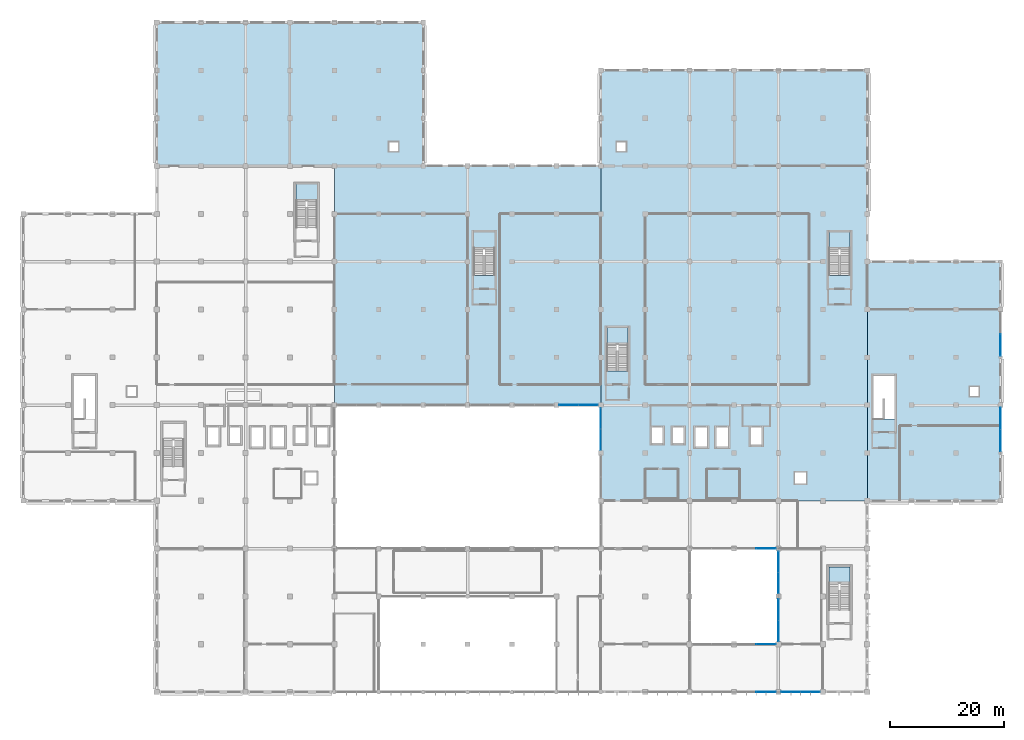
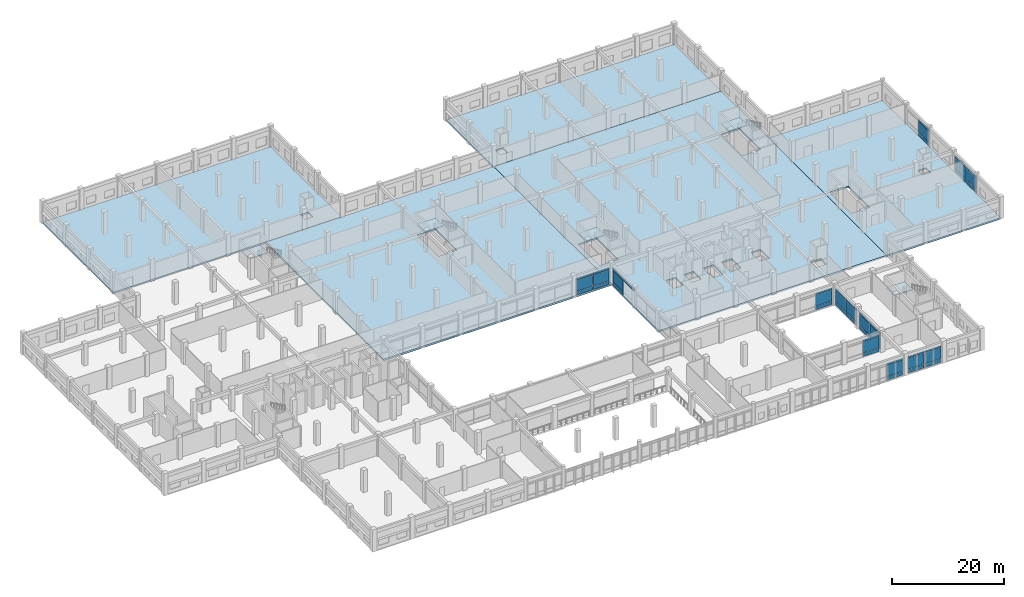
# One storey, part 51 of 79: 46 plates, 10 slabs, 15 elements without a shape of their own.
"""IFC4 building model written with IfcOpenShell, lengths in metres."""

from ifc_helpers import new_model, si_unit, direction, frame, origin, origin_2d, place, context, subcontext, project, spatial, polyline, rectangle, outline, extrude, material, layer, layer_set, type_object, element, aggregate, save


model = new_model("IFC4")

# Units and contexts
model_context = context("Model", 3, precision=1e-05, world=origin(), true_north=direction((0.0, 1.0)))
body_context = subcontext(model_context, "Body", "Model", "MODEL_VIEW")
ifc_project = project(units=[si_unit("LENGTHUNIT", "METRE"), si_unit("AREAUNIT", "SQUARE_METRE"), si_unit("VOLUMEUNIT", "CUBIC_METRE"), si_unit("PLANEANGLEUNIT", "RADIAN"), si_unit("MASSUNIT", "GRAM", prefix="KILO"), si_unit("THERMODYNAMICTEMPERATUREUNIT", "KELVIN"), si_unit("POWERUNIT", "WATT")], contexts=[model_context])

# Site, building, storey
site_placement = place(None, origin())
site = spatial("IfcSite", under=ifc_project, at=site_placement, CompositionType="ELEMENT")
building_placement = place(site_placement, origin())
building = spatial("IfcBuilding", under=site, at=building_placement, Name="Srebrne Nadtorze General Hospital", CompositionType="ELEMENT")
storey_placement = place(building_placement, frame((0.0, 0.0, 4.800048828125)))
storey = spatial("IfcBuildingStorey", under=building, at=storey_placement, Name="L01", CompositionType="ELEMENT", Elevation=4.800048828125)

# Curtain wall, plates
ifc_material_1 = material(Name="Anodised Aluminium", Category="aluminium")
curtain_wall_type_1 = type_object("IfcCurtainWallType", Name="Unitised curtain wall 6900x3750", PredefinedType="NOTDEFINED", material=ifc_material_1)
curtain_wall_1_placement = place(storey_placement, origin())
curtain_wall_1 = element("IfcCurtainWall", 1, at=curtain_wall_1_placement, inside=storey, type_object=curtain_wall_type_1, Name="Curtain wall CW-038", PredefinedType="NOTDEFINED")
ifc_material_2 = material(Name="Triple Low-E Glazing", Category="glass")
ifc_layer_1 = layer(ifc_material_2, 0.050048828125)
ifc_layer_set_1 = layer_set([ifc_layer_1], Name="Triple Low-E Glazing")
plate_type = type_object("IfcPlateType", Name="Glazed curtain panel 50", PredefinedType="CURTAIN_PANEL", material=ifc_layer_set_1)
plate_1_placement = place(storey_placement, frame((130.409912109375, 0.0, 0.06005859375), z_axis=(0.0, 0.0, 1.0), x_axis=(1.0, 0.0, 0.0)))
plate_1 = element("IfcPlate", 2, at=plate_1_placement, type_object=plate_type, Name="CW-038 panel 2.1", PredefinedType="CURTAIN_PANEL", context=body_context, shape_type="SweptSolid", body=[
    extrude(rectangle(XDim=3.360107421875, YDim=0.050048828125, at=origin_2d()), origin(), (0.0, 0.0, 1.0), 0.760009765625),
])
plate_2_placement = place(storey_placement, frame((130.409912109375, 0.0, 0.8798828125), z_axis=(0.0, 0.0, 1.0), x_axis=(1.0, 0.0, 0.0)))
plate_2 = element("IfcPlate", 3, at=plate_2_placement, type_object=plate_type, Name="CW-038 panel 2.2", PredefinedType="CURTAIN_PANEL", context=body_context, shape_type="SweptSolid", body=[
    extrude(rectangle(XDim=3.360107421875, YDim=0.050048828125, at=origin_2d()), origin(), (0.0, 0.0, 1.0), 2.340087890625),
])
plate_3_placement = place(storey_placement, frame((130.409912109375, 0.0, 3.27978515625), z_axis=(0.0, 0.0, 1.0), x_axis=(1.0, 0.0, 0.0)))
plate_3 = element("IfcPlate", 4, at=plate_3_placement, type_object=plate_type, Name="CW-038 panel 2.3", PredefinedType="CURTAIN_PANEL", context=body_context, shape_type="SweptSolid", body=[
    extrude(rectangle(XDim=3.360107421875, YDim=0.050048828125, at=origin_2d()), origin(), (0.0, 0.0, 1.0), 0.409912109375),
])
aggregate(curtain_wall_1, [plate_1, plate_2, plate_3])

curtain_wall_2_placement = place(storey_placement, origin())
curtain_wall_2 = element("IfcCurtainWall", 5, at=curtain_wall_2_placement, inside=storey, type_object=curtain_wall_type_1, Name="Curtain wall CW-039", PredefinedType="NOTDEFINED")
plate_4_placement = place(storey_placement, frame((134.791259765625, 0.0, 0.06494140625), z_axis=(0.0, 0.0, 1.0), x_axis=(1.0, 0.0, 0.0)))
plate_4 = element("IfcPlate", 6, at=plate_4_placement, type_object=plate_type, Name="CW-039 panel 1.1", PredefinedType="CURTAIN_PANEL", context=body_context, shape_type="SweptSolid", body=[
    extrude(rectangle(XDim=3.3525390625, YDim=0.050048828125, at=origin_2d()), origin(), (0.0, 0.0, 1.0), 0.75244140625),
])
plate_5_placement = place(storey_placement, frame((134.791259765625, 0.0, 0.882568359375), z_axis=(0.0, 0.0, 1.0), x_axis=(1.0, 0.0, 0.0)))
plate_5 = element("IfcPlate", 7, at=plate_5_placement, type_object=plate_type, Name="CW-039 panel 1.2", PredefinedType="CURTAIN_PANEL", context=body_context, shape_type="SweptSolid", body=[
    extrude(rectangle(XDim=3.3525390625, YDim=0.050048828125, at=origin_2d()), origin(), (0.0, 0.0, 1.0), 2.3349609375),
])
plate_6_placement = place(storey_placement, frame((134.791259765625, 0.0, 3.2822265625), z_axis=(0.0, 0.0, 1.0), x_axis=(1.0, 0.0, 0.0)))
plate_6 = element("IfcPlate", 8, at=plate_6_placement, type_object=plate_type, Name="CW-039 panel 1.3", PredefinedType="CURTAIN_PANEL", context=body_context, shape_type="SweptSolid", body=[
    extrude(rectangle(XDim=3.3525390625, YDim=0.050048828125, at=origin_2d()), origin(), (0.0, 0.0, 1.0), 0.402587890625),
])
plate_7_placement = place(storey_placement, frame((138.208740234375, 0.0, 0.06494140625), z_axis=(0.0, 0.0, 1.0), x_axis=(1.0, 0.0, 0.0)))
plate_7 = element("IfcPlate", 9, at=plate_7_placement, type_object=plate_type, Name="CW-039 panel 2.1", PredefinedType="CURTAIN_PANEL", context=body_context, shape_type="SweptSolid", body=[
    extrude(rectangle(XDim=3.3525390625, YDim=0.050048828125, at=origin_2d()), origin(), (0.0, 0.0, 1.0), 0.75244140625),
])
plate_8_placement = place(storey_placement, frame((138.208740234375, 0.0, 0.882568359375), z_axis=(0.0, 0.0, 1.0), x_axis=(1.0, 0.0, 0.0)))
plate_8 = element("IfcPlate", 10, at=plate_8_placement, type_object=plate_type, Name="CW-039 panel 2.2", PredefinedType="CURTAIN_PANEL", context=body_context, shape_type="SweptSolid", body=[
    extrude(rectangle(XDim=3.3525390625, YDim=0.050048828125, at=origin_2d()), origin(), (0.0, 0.0, 1.0), 2.3349609375),
])
plate_9_placement = place(storey_placement, frame((138.208740234375, 0.0, 3.2822265625), z_axis=(0.0, 0.0, 1.0), x_axis=(1.0, 0.0, 0.0)))
plate_9 = element("IfcPlate", 11, at=plate_9_placement, type_object=plate_type, Name="CW-039 panel 2.3", PredefinedType="CURTAIN_PANEL", context=body_context, shape_type="SweptSolid", body=[
    extrude(rectangle(XDim=3.3525390625, YDim=0.050048828125, at=origin_2d()), origin(), (0.0, 0.0, 1.0), 0.402587890625),
])
aggregate(curtain_wall_2, [plate_4, plate_5, plate_6, plate_7, plate_8, plate_9])

curtain_wall_3_placement = place(storey_placement, origin())
curtain_wall_3 = element("IfcCurtainWall", 12, at=curtain_wall_3_placement, inside=storey, type_object=curtain_wall_type_1, Name="Curtain wall CW-041", PredefinedType="NOTDEFINED")
plate_10_placement = place(storey_placement, frame((130.40869140625, 8.39990234375, 0.06494140625), z_axis=(0.0, 0.0, 1.0), x_axis=(1.0, 0.0, 0.0)))
plate_10 = element("IfcPlate", 13, at=plate_10_placement, type_object=plate_type, Name="CW-041 panel 2.1", PredefinedType="CURTAIN_PANEL", context=body_context, shape_type="SweptSolid", body=[
    extrude(rectangle(XDim=3.3525390625, YDim=0.050048828125, at=origin_2d()), origin(), (0.0, 0.0, 1.0), 0.75244140625),
])
plate_11_placement = place(storey_placement, frame((130.40869140625, 8.39990234375, 0.882568359375), z_axis=(0.0, 0.0, 1.0), x_axis=(1.0, 0.0, 0.0)))
plate_11 = element("IfcPlate", 14, at=plate_11_placement, type_object=plate_type, Name="CW-041 panel 2.2", PredefinedType="CURTAIN_PANEL", context=body_context, shape_type="SweptSolid", body=[
    extrude(rectangle(XDim=3.3525390625, YDim=0.050048828125, at=origin_2d()), origin(), (0.0, 0.0, 1.0), 2.3349609375),
])
plate_12_placement = place(storey_placement, frame((130.40869140625, 8.39990234375, 3.2822265625), z_axis=(0.0, 0.0, 1.0), x_axis=(1.0, 0.0, 0.0)))
plate_12 = element("IfcPlate", 15, at=plate_12_placement, type_object=plate_type, Name="CW-041 panel 2.3", PredefinedType="CURTAIN_PANEL", context=body_context, shape_type="SweptSolid", body=[
    extrude(rectangle(XDim=3.3525390625, YDim=0.050048828125, at=origin_2d()), origin(), (0.0, 0.0, 1.0), 0.402587890625),
])
aggregate(curtain_wall_3, [plate_10, plate_11, plate_12])

curtain_wall_4_placement = place(storey_placement, origin())
curtain_wall_4 = element("IfcCurtainWall", 16, at=curtain_wall_4_placement, inside=storey, type_object=curtain_wall_type_1, Name="Curtain wall CW-049", PredefinedType="NOTDEFINED")
plate_13_placement = place(storey_placement, frame((130.40869140625, 25.199951171875, 0.06494140625), z_axis=(0.0, 0.0, 1.0), x_axis=(1.0, 0.0, 0.0)))
plate_13 = element("IfcPlate", 17, at=plate_13_placement, type_object=plate_type, Name="CW-049 panel 2.1", PredefinedType="CURTAIN_PANEL", context=body_context, shape_type="SweptSolid", body=[
    extrude(rectangle(XDim=3.3525390625, YDim=0.050048828125, at=origin_2d()), origin(), (0.0, 0.0, 1.0), 0.75244140625),
])
plate_14_placement = place(storey_placement, frame((130.40869140625, 25.199951171875, 0.882568359375), z_axis=(0.0, 0.0, 1.0), x_axis=(1.0, 0.0, 0.0)))
plate_14 = element("IfcPlate", 18, at=plate_14_placement, type_object=plate_type, Name="CW-049 panel 2.2", PredefinedType="CURTAIN_PANEL", context=body_context, shape_type="SweptSolid", body=[
    extrude(rectangle(XDim=3.3525390625, YDim=0.050048828125, at=origin_2d()), origin(), (0.0, 0.0, 1.0), 2.3349609375),
])
plate_15_placement = place(storey_placement, frame((130.40869140625, 25.199951171875, 3.2822265625), z_axis=(0.0, 0.0, 1.0), x_axis=(1.0, 0.0, 0.0)))
plate_15 = element("IfcPlate", 19, at=plate_15_placement, type_object=plate_type, Name="CW-049 panel 2.3", PredefinedType="CURTAIN_PANEL", context=body_context, shape_type="SweptSolid", body=[
    extrude(rectangle(XDim=3.3525390625, YDim=0.050048828125, at=origin_2d()), origin(), (0.0, 0.0, 1.0), 0.402587890625),
])
aggregate(curtain_wall_4, [plate_13, plate_14, plate_15])

ifc_material_3 = material(Name="Anodised Aluminium", Category="aluminium")
curtain_wall_type_2 = type_object("IfcCurtainWallType", Name="Unitised curtain wall 6925x3750", PredefinedType="NOTDEFINED", material=ifc_material_3)
curtain_wall_5_placement = place(storey_placement, origin())
curtain_wall_5 = element("IfcCurtainWall", 20, at=curtain_wall_5_placement, inside=storey, type_object=curtain_wall_type_2, Name="Curtain wall CW-055", PredefinedType="NOTDEFINED")
plate_16_placement = place(storey_placement, frame((95.7724609375, 50.39990234375, 0.06494140625), z_axis=(0.0, 0.0, 1.0), x_axis=(1.0, 0.0, 0.0)))
plate_16 = element("IfcPlate", 21, at=plate_16_placement, type_object=plate_type, Name="CW-055 panel 1.1", PredefinedType="CURTAIN_PANEL", context=body_context, shape_type="SweptSolid", body=[
    extrude(rectangle(XDim=3.364990234375, YDim=0.050048828125, at=origin_2d()), origin(), (0.0, 0.0, 1.0), 0.75244140625),
])
plate_17_placement = place(storey_placement, frame((95.7724609375, 50.39990234375, 0.882568359375), z_axis=(0.0, 0.0, 1.0), x_axis=(1.0, 0.0, 0.0)))
plate_17 = element("IfcPlate", 22, at=plate_17_placement, type_object=plate_type, Name="CW-055 panel 1.2", PredefinedType="CURTAIN_PANEL", context=body_context, shape_type="SweptSolid", body=[
    extrude(rectangle(XDim=3.364990234375, YDim=0.050048828125, at=origin_2d()), origin(), (0.0, 0.0, 1.0), 2.3349609375),
])
plate_18_placement = place(storey_placement, frame((95.7724609375, 50.39990234375, 3.2822265625), z_axis=(0.0, 0.0, 1.0), x_axis=(1.0, 0.0, 0.0)))
plate_18 = element("IfcPlate", 23, at=plate_18_placement, type_object=plate_type, Name="CW-055 panel 1.3", PredefinedType="CURTAIN_PANEL", context=body_context, shape_type="SweptSolid", body=[
    extrude(rectangle(XDim=3.364990234375, YDim=0.050048828125, at=origin_2d()), origin(), (0.0, 0.0, 1.0), 0.402587890625),
])
plate_19_placement = place(storey_placement, frame((99.202392578125, 50.39990234375, 0.06494140625), z_axis=(0.0, 0.0, 1.0), x_axis=(1.0, 0.0, 0.0)))
plate_19 = element("IfcPlate", 24, at=plate_19_placement, type_object=plate_type, Name="CW-055 panel 2.1", PredefinedType="CURTAIN_PANEL", context=body_context, shape_type="SweptSolid", body=[
    extrude(rectangle(XDim=3.364990234375, YDim=0.050048828125, at=origin_2d()), origin(), (0.0, 0.0, 1.0), 0.75244140625),
])
plate_20_placement = place(storey_placement, frame((99.202392578125, 50.39990234375, 0.882568359375), z_axis=(0.0, 0.0, 1.0), x_axis=(1.0, 0.0, 0.0)))
plate_20 = element("IfcPlate", 25, at=plate_20_placement, type_object=plate_type, Name="CW-055 panel 2.2", PredefinedType="CURTAIN_PANEL", context=body_context, shape_type="SweptSolid", body=[
    extrude(rectangle(XDim=3.364990234375, YDim=0.050048828125, at=origin_2d()), origin(), (0.0, 0.0, 1.0), 2.3349609375),
])
plate_21_placement = place(storey_placement, frame((99.202392578125, 50.39990234375, 3.2822265625), z_axis=(0.0, 0.0, 1.0), x_axis=(1.0, 0.0, 0.0)))
plate_21 = element("IfcPlate", 26, at=plate_21_placement, type_object=plate_type, Name="CW-055 panel 2.3", PredefinedType="CURTAIN_PANEL", context=body_context, shape_type="SweptSolid", body=[
    extrude(rectangle(XDim=3.364990234375, YDim=0.050048828125, at=origin_2d()), origin(), (0.0, 0.0, 1.0), 0.402587890625),
])
aggregate(curtain_wall_5, [plate_16, plate_17, plate_18, plate_19, plate_20, plate_21])

ifc_material_4 = material(Name="Anodised Aluminium", Category="aluminium")
curtain_wall_type_3 = type_object("IfcCurtainWallType", Name="Unitised curtain wall 7500x3750", PredefinedType="NOTDEFINED", material=ifc_material_4)
curtain_wall_6_placement = place(storey_placement, origin())
curtain_wall_6 = element("IfcCurtainWall", 27, at=curtain_wall_6_placement, inside=storey, type_object=curtain_wall_type_3, Name="Curtain wall CW-061", PredefinedType="NOTDEFINED")
plate_22_placement = place(storey_placement, frame((101.39990234375, 44.34130859375, 3.2822265625), z_axis=(0.0, 0.0, 1.0), x_axis=(0.0, 1.0, 0.0)))
plate_22 = element("IfcPlate", 28, at=plate_22_placement, type_object=plate_type, Name="CW-061 panel 1.3", PredefinedType="CURTAIN_PANEL", context=body_context, shape_type="SweptSolid", body=[
    extrude(rectangle(XDim=3.652587890625, YDim=0.050048828125, at=origin_2d()), origin(), (0.0, 0.0, 1.0), 0.402587890625),
])
plate_23_placement = place(storey_placement, frame((101.39990234375, 48.058837890625, 0.06494140625), z_axis=(0.0, 0.0, 1.0), x_axis=(0.0, 1.0, 0.0)))
plate_23 = element("IfcPlate", 29, at=plate_23_placement, type_object=plate_type, Name="CW-061 panel 2.1", PredefinedType="CURTAIN_PANEL", context=body_context, shape_type="SweptSolid", body=[
    extrude(rectangle(XDim=3.652587890625, YDim=0.050048828125, at=origin_2d()), origin(), (0.0, 0.0, 1.0), 0.75244140625),
])
plate_24_placement = place(storey_placement, frame((101.39990234375, 48.058837890625, 0.882568359375), z_axis=(0.0, 0.0, 1.0), x_axis=(0.0, 1.0, 0.0)))
plate_24 = element("IfcPlate", 30, at=plate_24_placement, type_object=plate_type, Name="CW-061 panel 2.2", PredefinedType="CURTAIN_PANEL", context=body_context, shape_type="SweptSolid", body=[
    extrude(rectangle(XDim=3.652587890625, YDim=0.050048828125, at=origin_2d()), origin(), (0.0, 0.0, 1.0), 2.3349609375),
])
plate_25_placement = place(storey_placement, frame((101.39990234375, 48.058837890625, 3.2822265625), z_axis=(0.0, 0.0, 1.0), x_axis=(0.0, 1.0, 0.0)))
plate_25 = element("IfcPlate", 31, at=plate_25_placement, type_object=plate_type, Name="CW-061 panel 2.3", PredefinedType="CURTAIN_PANEL", context=body_context, shape_type="SweptSolid", body=[
    extrude(rectangle(XDim=3.652587890625, YDim=0.050048828125, at=origin_2d()), origin(), (0.0, 0.0, 1.0), 0.402587890625),
])
aggregate(curtain_wall_6, [plate_22, plate_23, plate_24, plate_25])

curtain_wall_7_placement = place(storey_placement, origin())
curtain_wall_7 = element("IfcCurtainWall", 32, at=curtain_wall_7_placement, inside=storey, type_object=curtain_wall_type_3, Name="Curtain wall CW-064", PredefinedType="NOTDEFINED")
plate_26_placement = place(storey_placement, frame((132.60009765625, 10.739990234375, 0.06005859375), z_axis=(0.0, 0.0, 1.0), x_axis=(0.0, 1.0, 0.0)))
plate_26 = element("IfcPlate", 33, at=plate_26_placement, type_object=plate_type, Name="CW-064 panel 1.1", PredefinedType="CURTAIN_PANEL", context=body_context, shape_type="SweptSolid", body=[
    extrude(rectangle(XDim=3.659912109375, YDim=0.050048828125, at=origin_2d()), origin(), (0.0, 0.0, 1.0), 0.760009765625),
])
plate_27_placement = place(storey_placement, frame((132.60009765625, 10.739990234375, 0.8798828125), z_axis=(0.0, 0.0, 1.0), x_axis=(0.0, 1.0, 0.0)))
plate_27 = element("IfcPlate", 34, at=plate_27_placement, type_object=plate_type, Name="CW-064 panel 1.2", PredefinedType="CURTAIN_PANEL", context=body_context, shape_type="SweptSolid", body=[
    extrude(rectangle(XDim=3.659912109375, YDim=0.050048828125, at=origin_2d()), origin(), (0.0, 0.0, 1.0), 2.340087890625),
])
plate_28_placement = place(storey_placement, frame((132.60009765625, 10.739990234375, 3.27978515625), z_axis=(0.0, 0.0, 1.0), x_axis=(0.0, 1.0, 0.0)))
plate_28 = element("IfcPlate", 35, at=plate_28_placement, type_object=plate_type, Name="CW-064 panel 1.3", PredefinedType="CURTAIN_PANEL", context=body_context, shape_type="SweptSolid", body=[
    extrude(rectangle(XDim=3.659912109375, YDim=0.050048828125, at=origin_2d()), origin(), (0.0, 0.0, 1.0), 0.409912109375),
])
plate_29_placement = place(storey_placement, frame((132.60009765625, 14.4599609375, 0.06005859375), z_axis=(0.0, 0.0, 1.0), x_axis=(0.0, 1.0, 0.0)))
plate_29 = element("IfcPlate", 36, at=plate_29_placement, type_object=plate_type, Name="CW-064 panel 2.1", PredefinedType="CURTAIN_PANEL", context=body_context, shape_type="SweptSolid", body=[
    extrude(rectangle(XDim=3.659912109375, YDim=0.050048828125, at=origin_2d()), origin(), (0.0, 0.0, 1.0), 0.760009765625),
])
plate_30_placement = place(storey_placement, frame((132.60009765625, 14.4599609375, 0.8798828125), z_axis=(0.0, 0.0, 1.0), x_axis=(0.0, 1.0, 0.0)))
plate_30 = element("IfcPlate", 37, at=plate_30_placement, type_object=plate_type, Name="CW-064 panel 2.2", PredefinedType="CURTAIN_PANEL", context=body_context, shape_type="SweptSolid", body=[
    extrude(rectangle(XDim=3.659912109375, YDim=0.050048828125, at=origin_2d()), origin(), (0.0, 0.0, 1.0), 2.340087890625),
])
plate_31_placement = place(storey_placement, frame((132.60009765625, 14.4599609375, 3.27978515625), z_axis=(0.0, 0.0, 1.0), x_axis=(0.0, 1.0, 0.0)))
plate_31 = element("IfcPlate", 38, at=plate_31_placement, type_object=plate_type, Name="CW-064 panel 2.3", PredefinedType="CURTAIN_PANEL", context=body_context, shape_type="SweptSolid", body=[
    extrude(rectangle(XDim=3.659912109375, YDim=0.050048828125, at=origin_2d()), origin(), (0.0, 0.0, 1.0), 0.409912109375),
])
aggregate(curtain_wall_7, [plate_26, plate_27, plate_28, plate_29, plate_30, plate_31])

curtain_wall_8_placement = place(storey_placement, origin())
curtain_wall_8 = element("IfcCurtainWall", 39, at=curtain_wall_8_placement, inside=storey, type_object=curtain_wall_type_3, Name="Curtain wall CW-065", PredefinedType="NOTDEFINED")
plate_32_placement = place(storey_placement, frame((132.60009765625, 19.141357421875, 0.06494140625), z_axis=(0.0, 0.0, 1.0), x_axis=(0.0, 1.0, 0.0)))
plate_32 = element("IfcPlate", 40, at=plate_32_placement, type_object=plate_type, Name="CW-065 panel 1.1", PredefinedType="CURTAIN_PANEL", context=body_context, shape_type="SweptSolid", body=[
    extrude(rectangle(XDim=3.652587890625, YDim=0.050048828125, at=origin_2d()), origin(), (0.0, 0.0, 1.0), 0.75244140625),
])
plate_33_placement = place(storey_placement, frame((132.60009765625, 19.141357421875, 0.882568359375), z_axis=(0.0, 0.0, 1.0), x_axis=(0.0, 1.0, 0.0)))
plate_33 = element("IfcPlate", 41, at=plate_33_placement, type_object=plate_type, Name="CW-065 panel 1.2", PredefinedType="CURTAIN_PANEL", context=body_context, shape_type="SweptSolid", body=[
    extrude(rectangle(XDim=3.652587890625, YDim=0.050048828125, at=origin_2d()), origin(), (0.0, 0.0, 1.0), 2.3349609375),
])
plate_34_placement = place(storey_placement, frame((132.60009765625, 19.141357421875, 3.2822265625), z_axis=(0.0, 0.0, 1.0), x_axis=(0.0, 1.0, 0.0)))
plate_34 = element("IfcPlate", 42, at=plate_34_placement, type_object=plate_type, Name="CW-065 panel 1.3", PredefinedType="CURTAIN_PANEL", context=body_context, shape_type="SweptSolid", body=[
    extrude(rectangle(XDim=3.652587890625, YDim=0.050048828125, at=origin_2d()), origin(), (0.0, 0.0, 1.0), 0.402587890625),
])
plate_35_placement = place(storey_placement, frame((132.60009765625, 22.858642578125, 0.06494140625), z_axis=(0.0, 0.0, 1.0), x_axis=(0.0, 1.0, 0.0)))
plate_35 = element("IfcPlate", 43, at=plate_35_placement, type_object=plate_type, Name="CW-065 panel 2.1", PredefinedType="CURTAIN_PANEL", context=body_context, shape_type="SweptSolid", body=[
    extrude(rectangle(XDim=3.652587890625, YDim=0.050048828125, at=origin_2d()), origin(), (0.0, 0.0, 1.0), 0.75244140625),
])
plate_36_placement = place(storey_placement, frame((132.60009765625, 22.858642578125, 0.882568359375), z_axis=(0.0, 0.0, 1.0), x_axis=(0.0, 1.0, 0.0)))
plate_36 = element("IfcPlate", 44, at=plate_36_placement, type_object=plate_type, Name="CW-065 panel 2.2", PredefinedType="CURTAIN_PANEL", context=body_context, shape_type="SweptSolid", body=[
    extrude(rectangle(XDim=3.652587890625, YDim=0.050048828125, at=origin_2d()), origin(), (0.0, 0.0, 1.0), 2.3349609375),
])
plate_37_placement = place(storey_placement, frame((132.60009765625, 22.858642578125, 3.2822265625), z_axis=(0.0, 0.0, 1.0), x_axis=(0.0, 1.0, 0.0)))
plate_37 = element("IfcPlate", 45, at=plate_37_placement, type_object=plate_type, Name="CW-065 panel 2.3", PredefinedType="CURTAIN_PANEL", context=body_context, shape_type="SweptSolid", body=[
    extrude(rectangle(XDim=3.652587890625, YDim=0.050048828125, at=origin_2d()), origin(), (0.0, 0.0, 1.0), 0.402587890625),
])
aggregate(curtain_wall_8, [plate_32, plate_33, plate_34, plate_35, plate_36, plate_37])

ifc_material_5 = material(Name="Anodised Aluminium", Category="aluminium")
curtain_wall_type_4 = type_object("IfcCurtainWallType", Name="Unitised curtain wall 7725x3750", PredefinedType="NOTDEFINED", material=ifc_material_5)
curtain_wall_9_placement = place(storey_placement, origin())
curtain_wall_9 = element("IfcCurtainWall", 46, at=curtain_wall_9_placement, inside=storey, type_object=curtain_wall_type_4, Name="Curtain wall CW-066", PredefinedType="NOTDEFINED")
plate_38_placement = place(storey_placement, frame((171.60009765625, 44.1962890625, 0.06005859375), z_axis=(0.0, 0.0, 1.0), x_axis=(0.0, 1.0, 0.0)))
plate_38 = element("IfcPlate", 47, at=plate_38_placement, type_object=plate_type, Name="CW-066 panel 1.1", PredefinedType="CURTAIN_PANEL", context=body_context, shape_type="SweptSolid", body=[
    extrude(rectangle(XDim=3.7724609375, YDim=0.050048828125, at=origin_2d()), origin(), (0.0, 0.0, 1.0), 0.760009765625),
])
plate_39_placement = place(storey_placement, frame((171.60009765625, 44.1962890625, 0.8798828125), z_axis=(0.0, 0.0, 1.0), x_axis=(0.0, 1.0, 0.0)))
plate_39 = element("IfcPlate", 48, at=plate_39_placement, type_object=plate_type, Name="CW-066 panel 1.2", PredefinedType="CURTAIN_PANEL", context=body_context, shape_type="SweptSolid", body=[
    extrude(rectangle(XDim=3.7724609375, YDim=0.050048828125, at=origin_2d()), origin(), (0.0, 0.0, 1.0), 2.340087890625),
])
plate_40_placement = place(storey_placement, frame((171.60009765625, 44.1962890625, 3.27978515625), z_axis=(0.0, 0.0, 1.0), x_axis=(0.0, 1.0, 0.0)))
plate_40 = element("IfcPlate", 49, at=plate_40_placement, type_object=plate_type, Name="CW-066 panel 1.3", PredefinedType="CURTAIN_PANEL", context=body_context, shape_type="SweptSolid", body=[
    extrude(rectangle(XDim=3.7724609375, YDim=0.050048828125, at=origin_2d()), origin(), (0.0, 0.0, 1.0), 0.409912109375),
])
plate_41_placement = place(storey_placement, frame((171.60009765625, 48.02880859375, 0.06005859375), z_axis=(0.0, 0.0, 1.0), x_axis=(0.0, 1.0, 0.0)))
plate_41 = element("IfcPlate", 50, at=plate_41_placement, type_object=plate_type, Name="CW-066 panel 2.1", PredefinedType="CURTAIN_PANEL", context=body_context, shape_type="SweptSolid", body=[
    extrude(rectangle(XDim=3.7724609375, YDim=0.050048828125, at=origin_2d()), origin(), (0.0, 0.0, 1.0), 0.760009765625),
])
plate_42_placement = place(storey_placement, frame((171.60009765625, 48.02880859375, 0.8798828125), z_axis=(0.0, 0.0, 1.0), x_axis=(0.0, 1.0, 0.0)))
plate_42 = element("IfcPlate", 51, at=plate_42_placement, type_object=plate_type, Name="CW-066 panel 2.2", PredefinedType="CURTAIN_PANEL", context=body_context, shape_type="SweptSolid", body=[
    extrude(rectangle(XDim=3.7724609375, YDim=0.050048828125, at=origin_2d()), origin(), (0.0, 0.0, 1.0), 2.340087890625),
])
plate_43_placement = place(storey_placement, frame((171.60009765625, 48.02880859375, 3.27978515625), z_axis=(0.0, 0.0, 1.0), x_axis=(0.0, 1.0, 0.0)))
plate_43 = element("IfcPlate", 52, at=plate_43_placement, type_object=plate_type, Name="CW-066 panel 2.3", PredefinedType="CURTAIN_PANEL", context=body_context, shape_type="SweptSolid", body=[
    extrude(rectangle(XDim=3.7724609375, YDim=0.050048828125, at=origin_2d()), origin(), (0.0, 0.0, 1.0), 0.409912109375),
])
aggregate(curtain_wall_9, [plate_38, plate_39, plate_40, plate_41, plate_42, plate_43])

curtain_wall_10_placement = place(storey_placement, origin())
curtain_wall_10 = element("IfcCurtainWall", 53, at=curtain_wall_10_placement, inside=storey, type_object=curtain_wall_type_4, Name="Curtain wall CW-067", PredefinedType="NOTDEFINED")
plate_44_placement = place(storey_placement, frame((171.60009765625, 60.99755859375, 0.06494140625), z_axis=(0.0, 0.0, 1.0), x_axis=(0.0, 1.0, 0.0)))
plate_44 = element("IfcPlate", 54, at=plate_44_placement, type_object=plate_type, Name="CW-067 panel 1.1", PredefinedType="CURTAIN_PANEL", context=body_context, shape_type="SweptSolid", body=[
    extrude(rectangle(XDim=3.764892578125, YDim=0.050048828125, at=origin_2d()), origin(), (0.0, 0.0, 1.0), 0.75244140625),
])
plate_45_placement = place(storey_placement, frame((171.60009765625, 60.99755859375, 0.882568359375), z_axis=(0.0, 0.0, 1.0), x_axis=(0.0, 1.0, 0.0)))
plate_45 = element("IfcPlate", 55, at=plate_45_placement, type_object=plate_type, Name="CW-067 panel 1.2", PredefinedType="CURTAIN_PANEL", context=body_context, shape_type="SweptSolid", body=[
    extrude(rectangle(XDim=3.764892578125, YDim=0.050048828125, at=origin_2d()), origin(), (0.0, 0.0, 1.0), 2.3349609375),
])
plate_46_placement = place(storey_placement, frame((171.60009765625, 60.99755859375, 3.2822265625), z_axis=(0.0, 0.0, 1.0), x_axis=(0.0, 1.0, 0.0)))
plate_46 = element("IfcPlate", 56, at=plate_46_placement, type_object=plate_type, Name="CW-067 panel 1.3", PredefinedType="CURTAIN_PANEL", context=body_context, shape_type="SweptSolid", body=[
    extrude(rectangle(XDim=3.764892578125, YDim=0.050048828125, at=origin_2d()), origin(), (0.0, 0.0, 1.0), 0.402587890625),
])
aggregate(curtain_wall_10, [plate_44, plate_45, plate_46])

# Stair, slab
ifc_material_6 = material(Name="Concrete C35/45", Category="concrete")
stair_type = type_object("IfcStairType", Name="Dog-leg escape stair 480", PredefinedType="HALF_TURN_STAIR", material=ifc_material_6)
stair_1_placement = place(storey_placement, origin())
stair_1 = element("IfcStair", 57, at=stair_1_placement, inside=storey, type_object=stair_type, Name="Escape stair ST-02-L01", PredefinedType="HALF_TURN_STAIR")
ifc_material_7 = material(Name="Concrete C35/45", Category="concrete")
ifc_layer_2 = layer(ifc_material_7, 0.219970703125)
ifc_layer_set_2 = layer_set([ifc_layer_2], Name="Concrete C35/45")
slab_type_1 = type_object("IfcSlabType", Name="Stair landing slab 220", PredefinedType="LANDING", material=ifc_layer_set_2)
slab_1_placement = place(storey_placement, frame((0.0, 0.0, 2.179931640625)))
slab_1 = element("IfcSlab", 58, at=slab_1_placement, type_object=slab_type_1, Name="ST-02 landing 1", PredefinedType="LANDING", context=body_context, shape_type="SweptSolid", body=[
    extrude(outline(polyline([(47.85009765625, 86.39990234375), (51.60009765625, 86.39990234375), (51.60009765625, 89.199951171875), (47.85009765625, 89.199951171875), (47.85009765625, 86.39990234375)])), origin(), (0.0, 0.0, 1.0), 0.219970703125),
])
aggregate(stair_1, [slab_1])

stair_2_placement = place(storey_placement, origin())
stair_2 = element("IfcStair", 59, at=stair_2_placement, inside=storey, type_object=stair_type, Name="Escape stair ST-03-L01", PredefinedType="HALF_TURN_STAIR")
slab_2_placement = place(storey_placement, frame((0.0, 0.0, 2.179931640625)))
slab_2 = element("IfcSlab", 60, at=slab_2_placement, type_object=slab_type_1, Name="ST-03 landing 1", PredefinedType="LANDING", context=body_context, shape_type="SweptSolid", body=[
    extrude(outline(polyline([(102.449951171875, 61.199951171875), (106.199951171875, 61.199951171875), (106.199951171875, 64.0), (102.449951171875, 64.0), (102.449951171875, 61.199951171875)])), origin(), (0.0, 0.0, 1.0), 0.219970703125),
])
aggregate(stair_2, [slab_2])

stair_3_placement = place(storey_placement, origin())
stair_3 = element("IfcStair", 61, at=stair_3_placement, inside=storey, type_object=stair_type, Name="Escape stair ST-04-L01", PredefinedType="HALF_TURN_STAIR")
slab_3_placement = place(storey_placement, frame((0.0, 0.0, 2.179931640625)))
slab_3 = element("IfcSlab", 62, at=slab_3_placement, type_object=slab_type_1, Name="ST-04 landing 1", PredefinedType="LANDING", context=body_context, shape_type="SweptSolid", body=[
    extrude(outline(polyline([(141.449951171875, 78.0), (145.199951171875, 78.0), (145.199951171875, 80.800048828125), (141.449951171875, 80.800048828125), (141.449951171875, 78.0)])), origin(), (0.0, 0.0, 1.0), 0.219970703125),
])
aggregate(stair_3, [slab_3])

stair_4_placement = place(storey_placement, origin())
stair_4 = element("IfcStair", 63, at=stair_4_placement, inside=storey, type_object=stair_type, Name="Escape stair ST-07-L01", PredefinedType="HALF_TURN_STAIR")
slab_4_placement = place(storey_placement, frame((0.0, 0.0, 2.179931640625)))
slab_4 = element("IfcSlab", 64, at=slab_4_placement, type_object=slab_type_1, Name="ST-07 landing 1", PredefinedType="LANDING", context=body_context, shape_type="SweptSolid", body=[
    extrude(outline(polyline([(79.050048828125, 78.0), (82.800048828125, 78.0), (82.800048828125, 80.800048828125), (79.050048828125, 80.800048828125), (79.050048828125, 78.0)])), origin(), (0.0, 0.0, 1.0), 0.219970703125),
])
aggregate(stair_4, [slab_4])

stair_5_placement = place(storey_placement, origin())
stair_5 = element("IfcStair", 65, at=stair_5_placement, inside=storey, type_object=stair_type, Name="Escape stair ST-08-L01", PredefinedType="HALF_TURN_STAIR")
slab_5_placement = place(storey_placement, frame((0.0, 0.0, 2.179931640625)))
slab_5 = element("IfcSlab", 66, at=slab_5_placement, type_object=slab_type_1, Name="ST-08 landing 1", PredefinedType="LANDING", context=body_context, shape_type="SweptSolid", body=[
    extrude(outline(polyline([(141.449951171875, 19.199951171875), (145.199951171875, 19.199951171875), (145.199951171875, 22.0), (141.449951171875, 22.0), (141.449951171875, 19.199951171875)])), origin(), (0.0, 0.0, 1.0), 0.219970703125),
])
aggregate(stair_5, [slab_5])

# Slabs
ifc_material_8 = material(Name="Concrete C35/45", Category="concrete")
ifc_layer_3 = layer(ifc_material_8, 0.35009765625)
ifc_layer_set_3 = layer_set([ifc_layer_3], Name="Concrete C35/45")
slab_type_2 = type_object("IfcSlabType", Name="Suspended floor slab 350", PredefinedType="FLOOR", material=ifc_layer_set_3)
slab_6_placement = place(storey_placement, frame((0.0, 0.0, -0.35009765625)))
element("IfcSlab", 67, at=slab_6_placement, inside=storey, type_object=slab_type_2, Name="Suspended floor slab SL-L01-SURG", PredefinedType="FLOOR", context=body_context, shape_type="SweptSolid", body=[
    extrude(outline(polyline([(54.60009765625, 50.39990234375), (101.39990234375, 50.39990234375), (101.39990234375, 92.39990234375), (54.60009765625, 92.39990234375), (54.60009765625, 50.39990234375)]), holes=[polyline([(79.050048828125, 73.205078125), (79.050048828125, 80.800048828125), (82.800048828125, 80.800048828125), (82.800048828125, 73.205078125), (79.050048828125, 73.205078125)])]), origin(), (0.0, 0.0, 1.0), 0.35009765625),
])
slab_7_placement = place(storey_placement, frame((0.0, 0.0, -0.35009765625)))
element("IfcSlab", 68, at=slab_7_placement, inside=storey, type_object=slab_type_2, Name="Suspended floor slab SL-L01-E", PredefinedType="FLOOR", context=body_context, shape_type="SweptSolid", body=[
    extrude(outline(polyline([(101.39990234375, 50.39990234375), (101.39990234375, 33.60009765625), (148.199951171875, 33.60009765625), (148.199951171875, 92.39990234375), (101.39990234375, 92.39990234375), (101.39990234375, 50.39990234375)]), holes=[polyline([(135.5, 36.60009765625), (135.5, 38.60009765625), (137.5, 38.60009765625), (137.5, 36.60009765625), (135.5, 36.60009765625)]), polyline([(118.0, 43.110107421875), (118.0, 46.4599609375), (120.10009765625, 46.4599609375), (120.10009765625, 43.110107421875), (118.0, 43.110107421875)]), polyline([(121.699951171875, 43.110107421875), (121.699951171875, 46.4599609375), (123.800048828125, 46.4599609375), (123.800048828125, 43.110107421875), (121.699951171875, 43.110107421875)]), polyline([(127.75, 43.409912109375), (127.75, 46.4599609375), (129.64990234375, 46.4599609375), (129.64990234375, 43.409912109375), (127.75, 43.409912109375)]), polyline([(110.35009765625, 43.7099609375), (110.35009765625, 46.4599609375), (112.25, 46.4599609375), (112.25, 43.7099609375), (110.35009765625, 43.7099609375)]), polyline([(115.949951171875, 43.7099609375), (114.050048828125, 43.7099609375), (114.050048828125, 46.4599609375), (115.949951171875, 46.4599609375), (115.949951171875, 43.7099609375)]), polyline([(102.449951171875, 56.405029296875), (102.449951171875, 64.0), (106.199951171875, 64.0), (106.199951171875, 56.405029296875), (102.449951171875, 56.405029296875)]), polyline([(141.449951171875, 73.205078125), (141.449951171875, 80.800048828125), (145.199951171875, 80.800048828125), (145.199951171875, 73.205078125), (141.449951171875, 73.205078125)])]), origin(), (0.0, 0.0, 1.0), 0.35009765625),
])
slab_8_placement = place(storey_placement, frame((0.0, 0.0, -0.35009765625)))
element("IfcSlab", 69, at=slab_8_placement, inside=storey, type_object=slab_type_2, Name="Suspended floor slab SL-L01-NWB", PredefinedType="FLOOR", context=body_context, shape_type="SweptSolid", body=[
    extrude(outline(polyline([(70.199951171875, 92.39990234375), (70.199951171875, 117.60009765625), (23.39990234375, 117.60009765625), (23.39990234375, 92.39990234375), (70.199951171875, 92.39990234375)]), holes=[polyline([(64.199951171875, 95.0), (64.199951171875, 96.60009765625), (65.800048828125, 96.60009765625), (65.800048828125, 95.0), (64.199951171875, 95.0)])]), origin(), (0.0, 0.0, 1.0), 0.35009765625),
])
slab_9_placement = place(storey_placement, frame((0.0, 0.0, -0.35009765625)))
element("IfcSlab", 70, at=slab_9_placement, inside=storey, type_object=slab_type_2, Name="Suspended floor slab SL-L01-NEB", PredefinedType="FLOOR", context=body_context, shape_type="SweptSolid", body=[
    extrude(outline(polyline([(148.199951171875, 92.39990234375), (148.199951171875, 109.199951171875), (101.39990234375, 109.199951171875), (101.39990234375, 92.39990234375), (148.199951171875, 92.39990234375)]), holes=[polyline([(104.199951171875, 95.0), (104.199951171875, 96.60009765625), (105.800048828125, 96.60009765625), (105.800048828125, 95.0), (104.199951171875, 95.0)])]), origin(), (0.0, 0.0, 1.0), 0.35009765625),
])
slab_10_placement = place(storey_placement, frame((0.0, 0.0, -0.35009765625)))
element("IfcSlab", 71, at=slab_10_placement, inside=storey, type_object=slab_type_2, Name="Suspended floor slab SL-L01-EB", PredefinedType="FLOOR", context=body_context, shape_type="SweptSolid", body=[
    extrude(outline(polyline([(171.60009765625, 33.60009765625), (171.60009765625, 75.60009765625), (148.199951171875, 75.60009765625), (148.199951171875, 33.60009765625), (171.60009765625, 33.60009765625)]), holes=[polyline([(149.25, 48.0048828125), (149.25, 55.60009765625), (153.0, 55.60009765625), (153.0, 48.0048828125), (149.25, 48.0048828125)]), polyline([(166.199951171875, 52.0), (166.199951171875, 53.60009765625), (167.800048828125, 53.60009765625), (167.800048828125, 52.0), (166.199951171875, 52.0)])]), origin(), (0.0, 0.0, 1.0), 0.35009765625),
])

save(model, "model.ifc")
